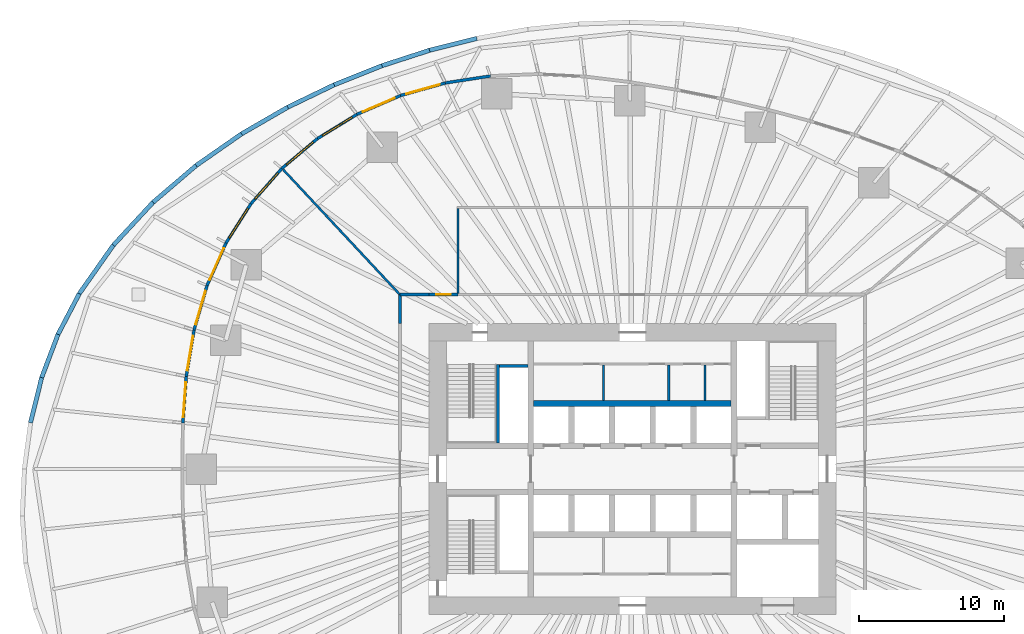
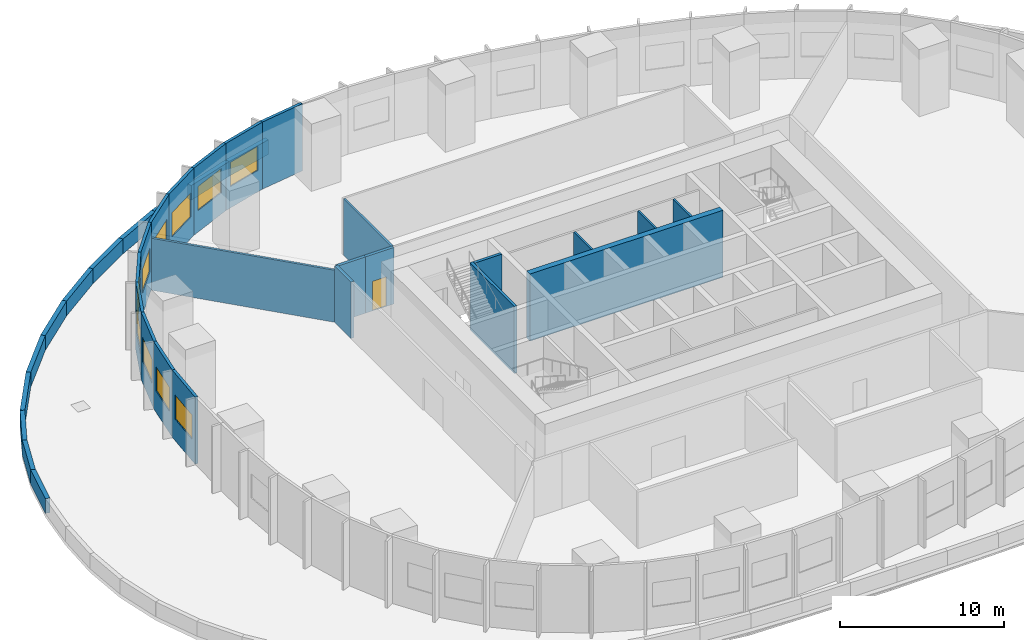
# One storey, part 8 of 11: 34 walls, 10 windows, 1 door, 11 openings.
"""IFC4 building model written with IfcOpenShell, lengths in metres."""

from ifc_helpers import new_model, si_unit, direction, frame, frame_2d, origin, place, context, subcontext, project, spatial, rectangle, extrude, material, layer, layer_set, type_object, element, fill, save


model = new_model("IFC4")

# Units and contexts
model_context = context("Model", 3, precision=1e-05, world=origin(), true_north=direction((0.0, 1.0)))
body_context = subcontext(model_context, "Body", "Model", "MODEL_VIEW")
ifc_project = project(units=[si_unit("LENGTHUNIT", "METRE"), si_unit("AREAUNIT", "SQUARE_METRE"), si_unit("VOLUMEUNIT", "CUBIC_METRE"), si_unit("PLANEANGLEUNIT", "RADIAN"), si_unit("MASSUNIT", "GRAM", prefix="KILO")], contexts=[model_context])

# Site, building, storey
site_placement = place(None, origin())
site = spatial("IfcSite", under=ifc_project, at=site_placement, CompositionType="ELEMENT")
building_placement = place(site_placement, origin())
building = spatial("IfcBuilding", under=site, at=building_placement, Name="Ghaith Harvest Tower", CompositionType="ELEMENT")
storey_placement = place(building_placement, frame((0.0, 0.0, 15.0)))
storey = spatial("IfcBuildingStorey", under=building, at=storey_placement, Name="L03", CompositionType="ELEMENT", Elevation=15.0)

# Wall, opening, door
ifc_material_1 = material(Name="Concrete blockwork, 1-hour", Category="masonry")
ifc_layer_1 = layer(ifc_material_1, 0.215087890625)
ifc_layer_set_1 = layer_set([ifc_layer_1], Name="BLOCKWORK WALL 215")
wall_type_1 = type_object("IfcWallType", Name="BLOCKWORK WALL 215", PredefinedType="PARTITIONING", material=ifc_layer_set_1)
wall_1_placement = place(storey_placement, frame((-12.0, 12.0, 0.0), z_axis=(0.0, 0.0, 1.0), x_axis=(-1.0, 0.0, 0.0)))
wall_1 = element("IfcWall", 1, at=wall_1_placement, inside=storey, type_object=wall_type_1, Name="Plant room wall L03", PredefinedType="PARTITIONING", context=body_context, shape_type="SweptSolid", body=[
    extrude(rectangle(XDim=2.0, YDim=0.215087890625, at=frame_2d((1.0, 0.0))), origin(), (0.0, 0.0, 1.0), 4.199951171875),
])
opening_1_placement = place(wall_1_placement, frame((0.5, 0.0, 0.0)))
opening_1 = element("IfcOpeningElement", 2, at=opening_1_placement, cuts=wall_1, Name="Opening 03-027", PredefinedType="OPENING", context=body_context, shape_type="SweptSolid", body=[
    extrude(rectangle(XDim=1.0, YDim=2.199951171875, at=frame_2d((0.5, 1.10009765625))), frame((0.0, 0.11767578125, 0.0), z_axis=(0.0, -1.0, 0.0), x_axis=(1.0, 0.0, 0.0)), (0.0, 0.0, 1.0), 0.235107421875),
])
ifc_material_2 = material(Name="Timber door", Category="wood")
door_type = type_object("IfcDoorType", Name="D1 SINGLE 1000x2200", OperationType="SINGLE_SWING_LEFT", PredefinedType="DOOR", material=ifc_material_2)
door_placement = place(opening_1_placement, origin())
door = element("IfcDoor", 3, at=door_placement, inside=storey, type_object=door_type, Name="Air handling plant room north door", OperationType="SINGLE_SWING_LEFT", OverallHeight=2.199951171875, OverallWidth=1.0, PredefinedType="DOOR", context=body_context, shape_type="SweptSolid", body=[
    extrude(rectangle(XDim=1.0, YDim=2.199951171875, at=frame_2d((0.5, 1.10009765625))), frame((0.0, 0.02490234375, 0.0), z_axis=(0.0, -1.0, 0.0), x_axis=(1.0, 0.0, 0.0)), (0.0, 0.0, 1.0), 0.050048828125),
])
fill(opening_1, door)

# Walls
for number, where, z_axis, x_axis, name in (
    (4, (-14.0, 12.0, 0.0), (0.0, 0.0, 1.0), (-1.0, 0.0, 0.0), "Plant room wall L03"),
    (5, (-16.0, 12.0, 0.0), (0.0, 0.0, 1.0), (0.0, -1.0, 0.0), "Plant room wall L03"),
):
    element("IfcWall", number, at=place(storey_placement, frame(where, z_axis=z_axis, x_axis=x_axis)), inside=storey, type_object=wall_type_1, Name=name, PredefinedType="PARTITIONING", context=body_context, shape_type="SweptSolid", body=[
        extrude(rectangle(XDim=2.0, YDim=0.215087890625, at=frame_2d((1.0, 0.0))), origin(), (0.0, 0.0, 1.0), 4.199951171875),
    ])
ifc_material_3 = material(Name="Concrete blockwork, fair-faced", Category="masonry")
ifc_layer_2 = layer(ifc_material_3, 0.139892578125)
ifc_layer_set_2 = layer_set([ifc_layer_2], Name="CORE PARTITION 140")
wall_type_2 = type_object("IfcWallType", Name="CORE PARTITION 140", PredefinedType="PARTITIONING", material=ifc_layer_set_2)
for number, where, z_axis, x_axis, name in (
    (6, (-2.0, 4.699951171875, 0.0), (0.0, 0.0, 1.0), (0.0, 1.0, 0.0), "Core partition L03"),
    (7, (2.5, 4.699951171875, 0.0), (0.0, 0.0, 1.0), (0.0, 1.0, 0.0), "Core partition L03"),
    (8, (5.0, 4.699951171875, 0.0), (0.0, 0.0, 1.0), (0.0, 1.0, 0.0), "Core partition L03"),
):
    element("IfcWall", number, at=place(storey_placement, frame(where, z_axis=z_axis, x_axis=x_axis)), inside=storey, type_object=wall_type_2, Name=name, PredefinedType="PARTITIONING", context=body_context, shape_type="SweptSolid", body=[
        extrude(rectangle(XDim=2.4599609375, YDim=0.139892578125, at=frame_2d((1.22998046875, 0.0))), origin(), (0.0, 0.0, 1.0), 4.75),
    ])
ifc_material_4 = material(Name="Concrete C40/50", Category="concrete")
ifc_layer_3 = layer(ifc_material_4, 0.300048828125)
ifc_layer_set_3 = layer_set([ifc_layer_3], Name="PARAPET 300")
wall_type_3 = type_object("IfcWallType", Name="PARAPET 300", PredefinedType="PARAPET", material=ifc_layer_set_3)
wall_2_placement = place(storey_placement, frame((-10.7041015625, 29.636962890625, 0.0), z_axis=(0.0, 0.0, 1.0), x_axis=(-0.969709184819, -0.244262352558, 0.0)))
element("IfcWall", 9, at=wall_2_placement, inside=storey, type_object=wall_type_3, Name="Parapet 07.1 L03", PredefinedType="PARAPET", context=body_context, shape_type="SweptSolid", body=[
    extrude(rectangle(XDim=3.359375, YDim=0.300048828125, at=frame_2d((1.6796875, 0.0))), origin(), (0.0, 0.0, 1.0), 1.10009765625),
])
wall_3_placement = place(storey_placement, frame((-13.961669921875, 28.81640625, 0.0), z_axis=(0.0, 0.0, 1.0), x_axis=(-0.9513155647, -0.308218585358, 0.0)))
element("IfcWall", 10, at=wall_3_placement, inside=storey, type_object=wall_type_3, Name="Parapet 07.2 L03", PredefinedType="PARAPET", context=body_context, shape_type="SweptSolid", body=[
    extrude(rectangle(XDim=3.443359375, YDim=0.300048828125, at=frame_2d((1.7216796875, 0.0))), origin(), (0.0, 0.0, 1.0), 1.10009765625),
])
wall_4_placement = place(storey_placement, frame((-17.2373046875, 27.755126953125, 0.0), z_axis=(0.0, 0.0, 1.0), x_axis=(-0.928509900433, -0.371307641719, 0.0)))
element("IfcWall", 11, at=wall_4_placement, inside=storey, type_object=wall_type_3, Name="Parapet 07.3 L03", PredefinedType="PARAPET", context=body_context, shape_type="SweptSolid", body=[
    extrude(rectangle(XDim=3.548583984375, YDim=0.300048828125, at=frame_2d((1.7744140625, 0.0))), origin(), (0.0, 0.0, 1.0), 1.10009765625),
])
wall_5_placement = place(storey_placement, frame((-20.5322265625, 26.4375, 0.0), z_axis=(0.0, 0.0, 1.0), x_axis=(-0.900747007189, -0.434344136647, 0.0)))
element("IfcWall", 12, at=wall_5_placement, inside=storey, type_object=wall_type_3, Name="Parapet 08.1 L03", PredefinedType="PARAPET", context=body_context, shape_type="SweptSolid", body=[
    extrude(rectangle(XDim=3.541259765625, YDim=0.300048828125, at=frame_2d((1.7705078125, 0.0))), origin(), (0.0, 0.0, 1.0), 1.10009765625),
])
wall_6_placement = place(storey_placement, frame((-23.721923828125, 24.8994140625, 0.0), z_axis=(0.0, 0.0, 1.0), x_axis=(-0.866016126081, -0.50001606911, 0.0)))
element("IfcWall", 13, at=wall_6_placement, inside=storey, type_object=wall_type_3, Name="Parapet 08.2 L03", PredefinedType="PARAPET", context=body_context, shape_type="SweptSolid", body=[
    extrude(rectangle(XDim=3.6708984375, YDim=0.300048828125, at=frame_2d((1.83544921875, 0.0))), origin(), (0.0, 0.0, 1.0), 1.10009765625),
])
wall_7_placement = place(storey_placement, frame((-26.90087890625, 23.06396484375, 0.0), z_axis=(0.0, 0.0, 1.0), x_axis=(-0.820613402286, -0.571483721542, 0.0)))
element("IfcWall", 14, at=wall_7_placement, inside=storey, type_object=wall_type_3, Name="Parapet 08.3 L03", PredefinedType="PARAPET", context=body_context, shape_type="SweptSolid", body=[
    extrude(rectangle(XDim=3.80419921875, YDim=0.300048828125, at=frame_2d((1.902099609375, 0.0))), origin(), (0.0, 0.0, 1.0), 1.10009765625),
])
wall_8_placement = place(storey_placement, frame((-30.022705078125, 20.889892578125, 0.0), z_axis=(0.0, 0.0, 1.0), x_axis=(-0.760080537926, -0.649828881989, 0.0)))
element("IfcWall", 15, at=wall_8_placement, inside=storey, type_object=wall_type_3, Name="Parapet 09.1 L03", PredefinedType="PARAPET", context=body_context, shape_type="SweptSolid", body=[
    extrude(rectangle(XDim=3.908447265625, YDim=0.300048828125, at=frame_2d((1.9541015625, 0.0))), origin(), (0.0, 0.0, 1.0), 1.10009765625),
])
wall_9_placement = place(storey_placement, frame((-32.993408203125, 18.35009765625, 0.0), z_axis=(0.0, 0.0, 1.0), x_axis=(-0.679661648359, -0.733525762158, 0.0)))
element("IfcWall", 16, at=wall_9_placement, inside=storey, type_object=wall_type_3, Name="Parapet 09.2 L03", PredefinedType="PARAPET", context=body_context, shape_type="SweptSolid", body=[
    extrude(rectangle(XDim=4.01123046875, YDim=0.300048828125, at=frame_2d((2.005615234375, 0.0))), origin(), (0.0, 0.0, 1.0), 1.10009765625),
])
wall_10_placement = place(storey_placement, frame((-35.7197265625, 15.40771484375, 0.0), z_axis=(0.0, 0.0, 1.0), x_axis=(-0.575129273198, -0.818062539853, 0.0)))
element("IfcWall", 17, at=wall_10_placement, inside=storey, type_object=wall_type_3, Name="Parapet 09.3 L03", PredefinedType="PARAPET", context=body_context, shape_type="SweptSolid", body=[
    extrude(rectangle(XDim=4.086181640625, YDim=0.300048828125, at=frame_2d((2.04296875, 0.0))), origin(), (0.0, 0.0, 1.0), 1.10009765625),
])
wall_11_placement = place(storey_placement, frame((-38.06982421875, 12.06494140625, 0.0), z_axis=(0.0, 0.0, 1.0), x_axis=(-0.462996313916, -0.886360205165, 0.0)))
element("IfcWall", 18, at=wall_11_placement, inside=storey, type_object=wall_type_3, Name="Parapet 10.1 L03", PredefinedType="PARAPET", context=body_context, shape_type="SweptSolid", body=[
    extrude(rectangle(XDim=3.16015625, YDim=0.300048828125, at=frame_2d((1.580078125, 0.0))), origin(), (0.0, 0.0, 1.0), 1.10009765625),
])
wall_12_placement = place(storey_placement, frame((-39.532958984375, 9.263916015625, 0.0), z_axis=(0.0, 0.0, 1.0), x_axis=(-0.353511014774, -0.935430362151, 0.0)))
element("IfcWall", 19, at=wall_12_placement, inside=storey, type_object=wall_type_3, Name="Parapet 10.2 L03", PredefinedType="PARAPET", context=body_context, shape_type="SweptSolid", body=[
    extrude(rectangle(XDim=3.180908203125, YDim=0.300048828125, at=frame_2d((1.59033203125, 0.0))), origin(), (0.0, 0.0, 1.0), 1.10009765625),
])
wall_13_placement = place(storey_placement, frame((-40.657470703125, 6.288330078125, 0.0), z_axis=(0.0, 0.0, 1.0), x_axis=(-0.239497590057, -0.970896958671, 0.0)))
element("IfcWall", 20, at=wall_13_placement, inside=storey, type_object=wall_type_3, Name="Parapet 10.3 L03", PredefinedType="PARAPET", context=body_context, shape_type="SweptSolid", body=[
    extrude(rectangle(XDim=3.19677734375, YDim=0.300048828125, at=frame_2d((1.598388671875, 0.0))), origin(), (0.0, 0.0, 1.0), 1.10009765625),
])
ifc_material_5 = material(Name="Gypsum board on steel studs", Category="steel")
ifc_layer_4 = layer(ifc_material_5, 0.14990234375)
ifc_layer_set_4 = layer_set([ifc_layer_4], Name="PARTITION 150")
wall_type_4 = type_object("IfcWallType", Name="PARTITION 150", PredefinedType="PARTITIONING", material=ifc_layer_set_4)
wall_14_placement = place(storey_placement, frame((-12.0, 12.074951171875, 0.0), z_axis=(0.0, 0.0, 1.0), x_axis=(0.0, 1.0, 0.0)))
element("IfcWall", 21, at=wall_14_placement, inside=storey, type_object=wall_type_4, Name="Partition L03-01", PredefinedType="PARTITIONING", context=body_context, shape_type="SweptSolid", body=[
    extrude(rectangle(XDim=5.85009765625, YDim=0.14990234375, at=frame_2d((2.925048828125, 0.0))), origin(), (0.0, 0.0, 1.0), 4.199951171875),
])
ifc_material_6 = material(Name="Gypsum board on steel studs", Category="steel")
ifc_layer_5 = layer(ifc_material_6, 0.14990234375)
ifc_layer_set_5 = layer_set([ifc_layer_5], Name="PARTITION 150H")
wall_type_5 = type_object("IfcWallType", Name="PARTITION 150H", PredefinedType="PARTITIONING", material=ifc_layer_set_5)
wall_15_placement = place(storey_placement, frame((-16.013671875, 12.0146484375, 0.0), z_axis=(0.0, 0.0, 1.0), x_axis=(-0.682522513656, 0.730864569091, 0.0)))
element("IfcWall", 22, at=wall_15_placement, inside=storey, type_object=wall_type_5, Name="Partition L03 zone division", PredefinedType="PARTITIONING", context=body_context, shape_type="SweptSolid", body=[
    extrude(rectangle(XDim=11.751953125, YDim=0.14990234375, at=frame_2d((5.8759765625, 0.0))), origin(), (0.0, 0.0, 1.0), 3.873046875),
])
ifc_material_7 = material(Name="Steel, black insulated metal cladding panel", Category="steel")
ifc_layer_6 = layer(ifc_material_7, 0.199951171875)
ifc_layer_set_6 = layer_set([ifc_layer_6], Name="PLANT ENCLOSURE WALL 200")
wall_type_6 = type_object("IfcWallType", Name="PLANT ENCLOSURE WALL 200", PredefinedType="SOLIDWALL", material=ifc_layer_set_6)
wall_16_placement = place(storey_placement, frame((-9.767578125, 27.0439453125, 0.0), z_axis=(0.0, 0.0, 1.0), x_axis=(-0.988396846799, -0.151893624746, 0.0)))
element("IfcWall", 23, at=wall_16_placement, inside=storey, type_object=wall_type_6, Name="Plant enclosure wall 07.1 L03", PredefinedType="SOLIDWALL", context=body_context, shape_type="SweptSolid", body=[
    extrude(rectangle(XDim=3.140625, YDim=0.199951171875, at=frame_2d((1.5703125, 0.0))), origin(), (0.0, 0.0, 1.0), 5.0),
])

# Wall, opening, window
wall_17_placement = place(storey_placement, frame((-12.871826171875, 26.56689453125, 0.0), z_axis=(0.0, 0.0, 1.0), x_axis=(-0.962777273016, -0.270295990654, 0.0)))
wall_17 = element("IfcWall", 24, at=wall_17_placement, inside=storey, type_object=wall_type_6, Name="Plant enclosure wall 07.2 L03", PredefinedType="SOLIDWALL", context=body_context, shape_type="SweptSolid", body=[
    extrude(rectangle(XDim=3.208251953125, YDim=0.199951171875, at=frame_2d((1.60400390625, 0.0))), origin(), (0.0, 0.0, 1.0), 5.0),
])
opening_2_placement = place(wall_17_placement, frame((0.404296875, 0.0, 1.60009765625)))
opening_2 = element("IfcOpeningElement", 25, at=opening_2_placement, cuts=wall_17, Name="Opening LV1", PredefinedType="OPENING", context=body_context, shape_type="SweptSolid", body=[
    extrude(rectangle(XDim=2.39990234375, YDim=1.800048828125, at=frame_2d((1.199951171875, 0.89990234375))), frame((0.0, 0.10986328125, 0.0), z_axis=(0.0, -1.0, 0.0), x_axis=(1.0, 0.0, 0.0)), (0.0, 0.0, 1.0), 0.219970703125),
])
ifc_material_8 = material(Name="Aluminium louvre, black", Category="aluminium")
window_type = type_object("IfcWindowType", Name="LOUVRE L1 2400x1800", PartitioningType="SINGLE_PANEL", PredefinedType="WINDOW", material=ifc_material_8)
window_1_placement = place(opening_2_placement, origin())
window_1 = element("IfcWindow", 26, at=window_1_placement, inside=storey, type_object=window_type, Name="Plant louvre 07.2 L03", OverallHeight=1.800048828125, OverallWidth=2.39990234375, PartitioningType="SINGLE_PANEL", PredefinedType="WINDOW", context=body_context, shape_type="SweptSolid", body=[
    extrude(rectangle(XDim=2.39990234375, YDim=1.800048828125, at=frame_2d((1.199951171875, 0.89990234375))), frame((0.0, 0.030029296875, 0.0), z_axis=(0.0, -1.0, 0.0), x_axis=(1.0, 0.0, 0.0)), (0.0, 0.0, 1.0), 0.06005859375),
])
fill(opening_2, window_1)

wall_18_placement = place(storey_placement, frame((-15.960693359375, 25.69970703125, 0.0), z_axis=(0.0, 0.0, 1.0), x_axis=(-0.918030153112, -0.396510577384, 0.0)))
wall_18 = element("IfcWall", 27, at=wall_18_placement, inside=storey, type_object=wall_type_6, Name="Plant enclosure wall 07.3 L03", PredefinedType="SOLIDWALL", context=body_context, shape_type="SweptSolid", body=[
    extrude(rectangle(XDim=3.261474609375, YDim=0.199951171875, at=frame_2d((1.630859375, 0.0))), origin(), (0.0, 0.0, 1.0), 5.0),
])
opening_3_placement = place(wall_18_placement, frame((0.430908203125, 0.0, 1.60009765625)))
opening_3 = element("IfcOpeningElement", 28, at=opening_3_placement, cuts=wall_18, Name="Opening LV1", PredefinedType="OPENING", context=body_context, shape_type="SweptSolid", body=[
    extrude(rectangle(XDim=2.39990234375, YDim=1.800048828125, at=frame_2d((1.199951171875, 0.89990234375))), frame((0.0, 0.10986328125, 0.0), z_axis=(0.0, -1.0, 0.0), x_axis=(1.0, 0.0, 0.0)), (0.0, 0.0, 1.0), 0.219970703125),
])
window_2_placement = place(opening_3_placement, origin())
window_2 = element("IfcWindow", 29, at=window_2_placement, inside=storey, type_object=window_type, Name="Plant louvre 07.3 L03", OverallHeight=1.800048828125, OverallWidth=2.39990234375, PartitioningType="SINGLE_PANEL", PredefinedType="WINDOW", context=body_context, shape_type="SweptSolid", body=[
    extrude(rectangle(XDim=2.39990234375, YDim=1.800048828125, at=frame_2d((1.199951171875, 0.89990234375))), frame((0.0, 0.030029296875, 0.0), z_axis=(0.0, -1.0, 0.0), x_axis=(1.0, 0.0, 0.0)), (0.0, 0.0, 1.0), 0.06005859375),
])
fill(opening_3, window_2)

wall_19_placement = place(storey_placement, frame((-18.954833984375, 24.406494140625, 0.0), z_axis=(0.0, 0.0, 1.0), x_axis=(-0.85260786828, -0.522551263462, 0.0)))
wall_19 = element("IfcWall", 30, at=wall_19_placement, inside=storey, type_object=wall_type_6, Name="Plant enclosure wall 08.1 L03", PredefinedType="SOLIDWALL", context=body_context, shape_type="SweptSolid", body=[
    extrude(rectangle(XDim=3.18212890625, YDim=0.199951171875, at=frame_2d((1.591064453125, 0.0))), origin(), (0.0, 0.0, 1.0), 5.0),
])
opening_4_placement = place(wall_19_placement, frame((0.39111328125, 0.0, 1.60009765625)))
opening_4 = element("IfcOpeningElement", 31, at=opening_4_placement, cuts=wall_19, Name="Opening LV1", PredefinedType="OPENING", context=body_context, shape_type="SweptSolid", body=[
    extrude(rectangle(XDim=2.39990234375, YDim=1.800048828125, at=frame_2d((1.199951171875, 0.89990234375))), frame((0.0, 0.10986328125, 0.0), z_axis=(0.0, -1.0, 0.0), x_axis=(1.0, 0.0, 0.0)), (0.0, 0.0, 1.0), 0.219970703125),
])
window_3_placement = place(opening_4_placement, origin())
window_3 = element("IfcWindow", 32, at=window_3_placement, inside=storey, type_object=window_type, Name="Plant louvre 08.1 L03", OverallHeight=1.800048828125, OverallWidth=2.39990234375, PartitioningType="SINGLE_PANEL", PredefinedType="WINDOW", context=body_context, shape_type="SweptSolid", body=[
    extrude(rectangle(XDim=2.39990234375, YDim=1.800048828125, at=frame_2d((1.199951171875, 0.89990234375))), frame((0.0, 0.030029296875, 0.0), z_axis=(0.0, -1.0, 0.0), x_axis=(1.0, 0.0, 0.0)), (0.0, 0.0, 1.0), 0.06005859375),
])
fill(opening_4, window_3)

wall_20_placement = place(storey_placement, frame((-21.66796875, 22.74365234375, 0.0), z_axis=(0.0, 0.0, 1.0), x_axis=(-0.766201219495, -0.64260072459, 0.0)))
wall_20 = element("IfcWall", 33, at=wall_20_placement, inside=storey, type_object=wall_type_6, Name="Plant enclosure wall 08.2 L03", PredefinedType="SOLIDWALL", context=body_context, shape_type="SweptSolid", body=[
    extrude(rectangle(XDim=3.205810546875, YDim=0.199951171875, at=frame_2d((1.60302734375, 0.0))), origin(), (0.0, 0.0, 1.0), 5.0),
])
opening_5_placement = place(wall_20_placement, frame((0.40283203125, 0.0, 1.60009765625)))
opening_5 = element("IfcOpeningElement", 34, at=opening_5_placement, cuts=wall_20, Name="Opening LV1", PredefinedType="OPENING", context=body_context, shape_type="SweptSolid", body=[
    extrude(rectangle(XDim=2.39990234375, YDim=1.800048828125, at=frame_2d((1.199951171875, 0.89990234375))), frame((0.0, 0.10986328125, 0.0), z_axis=(0.0, -1.0, 0.0), x_axis=(1.0, 0.0, 0.0)), (0.0, 0.0, 1.0), 0.219970703125),
])
window_4_placement = place(opening_5_placement, origin())
window_4 = element("IfcWindow", 35, at=window_4_placement, inside=storey, type_object=window_type, Name="Plant louvre 08.2 L03", OverallHeight=1.800048828125, OverallWidth=2.39990234375, PartitioningType="SINGLE_PANEL", PredefinedType="WINDOW", context=body_context, shape_type="SweptSolid", body=[
    extrude(rectangle(XDim=2.39990234375, YDim=1.800048828125, at=frame_2d((1.199951171875, 0.89990234375))), frame((0.0, 0.030029296875, 0.0), z_axis=(0.0, -1.0, 0.0), x_axis=(1.0, 0.0, 0.0)), (0.0, 0.0, 1.0), 0.06005859375),
])
fill(opening_5, window_4)

wall_21_placement = place(storey_placement, frame((-24.124267578125, 20.68359375, 0.0), z_axis=(0.0, 0.0, 1.0), x_axis=(-0.659255857284, -0.751918688846, 0.0)))
wall_21 = element("IfcWall", 36, at=wall_21_placement, inside=storey, type_object=wall_type_6, Name="Plant enclosure wall 08.3 L03", PredefinedType="SOLIDWALL", context=body_context, shape_type="SweptSolid", body=[
    extrude(rectangle(XDim=3.2197265625, YDim=0.199951171875, at=frame_2d((1.60986328125, 0.0))), origin(), (0.0, 0.0, 1.0), 5.0),
])
opening_6_placement = place(wall_21_placement, frame((0.409912109375, 0.0, 1.60009765625)))
opening_6 = element("IfcOpeningElement", 37, at=opening_6_placement, cuts=wall_21, Name="Opening LV1", PredefinedType="OPENING", context=body_context, shape_type="SweptSolid", body=[
    extrude(rectangle(XDim=2.39990234375, YDim=1.800048828125, at=frame_2d((1.199951171875, 0.89990234375))), frame((0.0, 0.10986328125, 0.0), z_axis=(0.0, -1.0, 0.0), x_axis=(1.0, 0.0, 0.0)), (0.0, 0.0, 1.0), 0.219970703125),
])
window_5_placement = place(opening_6_placement, origin())
window_5 = element("IfcWindow", 38, at=window_5_placement, inside=storey, type_object=window_type, Name="Plant louvre 08.3 L03", OverallHeight=1.800048828125, OverallWidth=2.39990234375, PartitioningType="SINGLE_PANEL", PredefinedType="WINDOW", context=body_context, shape_type="SweptSolid", body=[
    extrude(rectangle(XDim=2.39990234375, YDim=1.800048828125, at=frame_2d((1.199951171875, 0.89990234375))), frame((0.0, 0.030029296875, 0.0), z_axis=(0.0, -1.0, 0.0), x_axis=(1.0, 0.0, 0.0)), (0.0, 0.0, 1.0), 0.06005859375),
])
fill(opening_6, window_5)

wall_22_placement = place(storey_placement, frame((-26.246826171875, 18.2626953125, 0.0), z_axis=(0.0, 0.0, 1.0), x_axis=(-0.536767165703, -0.843730413001, 0.0)))
wall_22 = element("IfcWall", 39, at=wall_22_placement, inside=storey, type_object=wall_type_6, Name="Plant enclosure wall 09.1 L03", PredefinedType="SOLIDWALL", context=body_context, shape_type="SweptSolid", body=[
    extrude(rectangle(XDim=3.20849609375, YDim=0.199951171875, at=frame_2d((1.604248046875, 0.0))), origin(), (0.0, 0.0, 1.0), 5.0),
])
opening_7_placement = place(wall_22_placement, frame((0.404296875, 0.0, 1.60009765625)))
opening_7 = element("IfcOpeningElement", 40, at=opening_7_placement, cuts=wall_22, Name="Opening LV1", PredefinedType="OPENING", context=body_context, shape_type="SweptSolid", body=[
    extrude(rectangle(XDim=2.39990234375, YDim=1.800048828125, at=frame_2d((1.199951171875, 0.89990234375))), frame((0.0, 0.10986328125, 0.0), z_axis=(0.0, -1.0, 0.0), x_axis=(1.0, 0.0, 0.0)), (0.0, 0.0, 1.0), 0.219970703125),
])
window_6_placement = place(opening_7_placement, origin())
window_6 = element("IfcWindow", 41, at=window_6_placement, inside=storey, type_object=window_type, Name="Plant louvre 09.1 L03", OverallHeight=1.800048828125, OverallWidth=2.39990234375, PartitioningType="SINGLE_PANEL", PredefinedType="WINDOW", context=body_context, shape_type="SweptSolid", body=[
    extrude(rectangle(XDim=2.39990234375, YDim=1.800048828125, at=frame_2d((1.199951171875, 0.89990234375))), frame((0.0, 0.030029296875, 0.0), z_axis=(0.0, -1.0, 0.0), x_axis=(1.0, 0.0, 0.0)), (0.0, 0.0, 1.0), 0.06005859375),
])
fill(opening_7, window_6)

wall_23_placement = place(storey_placement, frame((-27.968994140625, 15.5556640625, 0.0), z_axis=(0.0, 0.0, 1.0), x_axis=(-0.407113305764, -0.913377663549, 0.0)))
wall_23 = element("IfcWall", 42, at=wall_23_placement, inside=storey, type_object=wall_type_6, Name="Plant enclosure wall 09.2 L03", PredefinedType="SOLIDWALL", context=body_context, shape_type="SweptSolid", body=[
    extrude(rectangle(XDim=3.205810546875, YDim=0.199951171875, at=frame_2d((1.60302734375, 0.0))), origin(), (0.0, 0.0, 1.0), 5.0),
])
opening_8_placement = place(wall_23_placement, frame((0.403076171875, 0.0, 1.60009765625)))
opening_8 = element("IfcOpeningElement", 43, at=opening_8_placement, cuts=wall_23, Name="Opening LV1", PredefinedType="OPENING", context=body_context, shape_type="SweptSolid", body=[
    extrude(rectangle(XDim=2.39990234375, YDim=1.800048828125, at=frame_2d((1.199951171875, 0.89990234375))), frame((0.0, 0.10986328125, 0.0), z_axis=(0.0, -1.0, 0.0), x_axis=(1.0, 0.0, 0.0)), (0.0, 0.0, 1.0), 0.219970703125),
])
window_7_placement = place(opening_8_placement, origin())
window_7 = element("IfcWindow", 44, at=window_7_placement, inside=storey, type_object=window_type, Name="Plant louvre 09.2 L03", OverallHeight=1.800048828125, OverallWidth=2.39990234375, PartitioningType="SINGLE_PANEL", PredefinedType="WINDOW", context=body_context, shape_type="SweptSolid", body=[
    extrude(rectangle(XDim=2.39990234375, YDim=1.800048828125, at=frame_2d((1.199951171875, 0.89990234375))), frame((0.0, 0.030029296875, 0.0), z_axis=(0.0, -1.0, 0.0), x_axis=(1.0, 0.0, 0.0)), (0.0, 0.0, 1.0), 0.06005859375),
])
fill(opening_8, window_7)

wall_24_placement = place(storey_placement, frame((-29.274169921875, 12.62744140625, 0.0), z_axis=(0.0, 0.0, 1.0), x_axis=(-0.280208384057, -0.959939196774, 0.0)))
wall_24 = element("IfcWall", 45, at=wall_24_placement, inside=storey, type_object=wall_type_6, Name="Plant enclosure wall 09.3 L03", PredefinedType="SOLIDWALL", context=body_context, shape_type="SweptSolid", body=[
    extrude(rectangle(XDim=3.194091796875, YDim=0.199951171875, at=frame_2d((1.59716796875, 0.0))), origin(), (0.0, 0.0, 1.0), 5.0),
])
opening_9_placement = place(wall_24_placement, frame((0.397216796875, 0.0, 1.60009765625)))
opening_9 = element("IfcOpeningElement", 46, at=opening_9_placement, cuts=wall_24, Name="Opening LV1", PredefinedType="OPENING", context=body_context, shape_type="SweptSolid", body=[
    extrude(rectangle(XDim=2.39990234375, YDim=1.800048828125, at=frame_2d((1.199951171875, 0.89990234375))), frame((0.0, 0.10986328125, 0.0), z_axis=(0.0, -1.0, 0.0), x_axis=(1.0, 0.0, 0.0)), (0.0, 0.0, 1.0), 0.219970703125),
])
window_8_placement = place(opening_9_placement, origin())
window_8 = element("IfcWindow", 47, at=window_8_placement, inside=storey, type_object=window_type, Name="Plant louvre 09.3 L03", OverallHeight=1.800048828125, OverallWidth=2.39990234375, PartitioningType="SINGLE_PANEL", PredefinedType="WINDOW", context=body_context, shape_type="SweptSolid", body=[
    extrude(rectangle(XDim=2.39990234375, YDim=1.800048828125, at=frame_2d((1.199951171875, 0.89990234375))), frame((0.0, 0.030029296875, 0.0), z_axis=(0.0, -1.0, 0.0), x_axis=(1.0, 0.0, 0.0)), (0.0, 0.0, 1.0), 0.06005859375),
])
fill(opening_9, window_8)

wall_25_placement = place(storey_placement, frame((-30.169189453125, 9.561279296875, 0.0), z_axis=(0.0, 0.0, 1.0), x_axis=(-0.165524941824, -0.986205604138, 0.0)))
wall_25 = element("IfcWall", 48, at=wall_25_placement, inside=storey, type_object=wall_type_6, Name="Plant enclosure wall 10.1 L03", PredefinedType="SOLIDWALL", context=body_context, shape_type="SweptSolid", body=[
    extrude(rectangle(XDim=3.234619140625, YDim=0.199951171875, at=frame_2d((1.6171875, 0.0))), origin(), (0.0, 0.0, 1.0), 5.0),
])
opening_10_placement = place(wall_25_placement, frame((0.417236328125, 0.0, 1.60009765625)))
opening_10 = element("IfcOpeningElement", 49, at=opening_10_placement, cuts=wall_25, Name="Opening LV1", PredefinedType="OPENING", context=body_context, shape_type="SweptSolid", body=[
    extrude(rectangle(XDim=2.39990234375, YDim=1.800048828125, at=frame_2d((1.199951171875, 0.89990234375))), frame((0.0, 0.10986328125, 0.0), z_axis=(0.0, -1.0, 0.0), x_axis=(1.0, 0.0, 0.0)), (0.0, 0.0, 1.0), 0.219970703125),
])
window_9_placement = place(opening_10_placement, origin())
window_9 = element("IfcWindow", 50, at=window_9_placement, inside=storey, type_object=window_type, Name="Plant louvre 10.1 L03", OverallHeight=1.800048828125, OverallWidth=2.39990234375, PartitioningType="SINGLE_PANEL", PredefinedType="WINDOW", context=body_context, shape_type="SweptSolid", body=[
    extrude(rectangle(XDim=2.39990234375, YDim=1.800048828125, at=frame_2d((1.199951171875, 0.89990234375))), frame((0.0, 0.030029296875, 0.0), z_axis=(0.0, -1.0, 0.0), x_axis=(1.0, 0.0, 0.0)), (0.0, 0.0, 1.0), 0.06005859375),
])
fill(opening_10, window_9)

wall_26_placement = place(storey_placement, frame((-30.70458984375, 6.371337890625, 0.0), z_axis=(0.0, 0.0, 1.0), x_axis=(-0.072395112293, -0.997376031252, 0.0)))
wall_26 = element("IfcWall", 51, at=wall_26_placement, inside=storey, type_object=wall_type_6, Name="Plant enclosure wall 10.2 L03", PredefinedType="SOLIDWALL", context=body_context, shape_type="SweptSolid", body=[
    extrude(rectangle(XDim=3.20361328125, YDim=0.199951171875, at=frame_2d((1.601806640625, 0.0))), origin(), (0.0, 0.0, 1.0), 5.0),
])
opening_11_placement = place(wall_26_placement, frame((0.40185546875, 0.0, 1.60009765625)))
opening_11 = element("IfcOpeningElement", 52, at=opening_11_placement, cuts=wall_26, Name="Opening LV1", PredefinedType="OPENING", context=body_context, shape_type="SweptSolid", body=[
    extrude(rectangle(XDim=2.39990234375, YDim=1.800048828125, at=frame_2d((1.199951171875, 0.89990234375))), frame((0.0, 0.10986328125, 0.0), z_axis=(0.0, -1.0, 0.0), x_axis=(1.0, 0.0, 0.0)), (0.0, 0.0, 1.0), 0.219970703125),
])
window_10_placement = place(opening_11_placement, origin())
window_10 = element("IfcWindow", 53, at=window_10_placement, inside=storey, type_object=window_type, Name="Plant louvre 10.2 L03", OverallHeight=1.800048828125, OverallWidth=2.39990234375, PartitioningType="SINGLE_PANEL", PredefinedType="WINDOW", context=body_context, shape_type="SweptSolid", body=[
    extrude(rectangle(XDim=2.39990234375, YDim=1.800048828125, at=frame_2d((1.199951171875, 0.89990234375))), frame((0.0, 0.030029296875, 0.0), z_axis=(0.0, -1.0, 0.0), x_axis=(1.0, 0.0, 0.0)), (0.0, 0.0, 1.0), 0.06005859375),
])
fill(opening_11, window_10)

# Walls
ifc_material_9 = material(Name="Concrete C70/85", Category="concrete")
ifc_layer_7 = layer(ifc_material_9, 0.39990234375)
ifc_layer_set_7 = layer_set([ifc_layer_7], Name="SHAFT WALL 400")
wall_type_7 = type_object("IfcWallType", Name="SHAFT WALL 400", PredefinedType="SHEAR", material=ifc_layer_set_7)
wall_27_placement = place(storey_placement, frame((-6.800048828125, 4.5, 0.0), z_axis=(0.0, 0.0, 1.0), x_axis=(1.0, 0.0, 0.0)))
element("IfcWall", 54, at=wall_27_placement, inside=storey, type_object=wall_type_7, Name="Shaft wall BN L03", PredefinedType="SHEAR", context=body_context, shape_type="SweptSolid", body=[
    extrude(rectangle(XDim=13.60009765625, YDim=0.39990234375, at=frame_2d((6.800048828125, 0.0))), origin(), (0.0, 0.0, 1.0), 5.0),
])
ifc_material_10 = material(Name="Concrete C40/50", Category="concrete")
ifc_layer_8 = layer(ifc_material_10, 0.199951171875)
ifc_layer_set_8 = layer_set([ifc_layer_8], Name="STAIR SPINE WALL RC200")
wall_type_8 = type_object("IfcWallType", Name="STAIR SPINE WALL RC200", PredefinedType="SOLIDWALL", material=ifc_layer_set_8)
wall_28_placement = place(storey_placement, frame((-9.25, 7.199951171875, 0.0), z_axis=(0.0, 0.0, 1.0), x_axis=(0.0, -1.0, 0.0)))
element("IfcWall", 55, at=wall_28_placement, inside=storey, type_object=wall_type_8, Name="Stair ST1 spine wall L03", PredefinedType="SOLIDWALL", context=body_context, shape_type="SweptSolid", body=[
    extrude(rectangle(XDim=5.39990234375, YDim=0.199951171875, at=frame_2d((2.699951171875, 0.0))), origin(), (0.0, 0.0, 1.0), 5.0),
])
wall_29_placement = place(storey_placement, frame((-9.14990234375, 7.10009765625, 0.0), z_axis=(0.0, 0.0, 1.0), x_axis=(1.0, 0.0, 0.0)))
element("IfcWall", 56, at=wall_29_placement, inside=storey, type_object=wall_type_8, Name="Stair ST1 spine wall return L03", PredefinedType="SOLIDWALL", context=body_context, shape_type="SweptSolid", body=[
    extrude(rectangle(XDim=1.949951171875, YDim=0.199951171875, at=frame_2d((0.97509765625, 0.0))), origin(), (0.0, 0.0, 1.0), 5.0),
])

save(model, "model.ifc")
